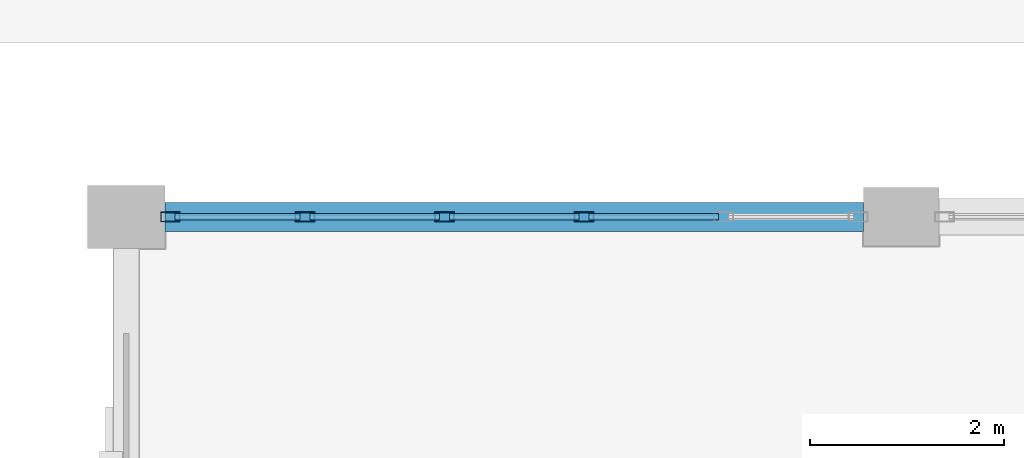
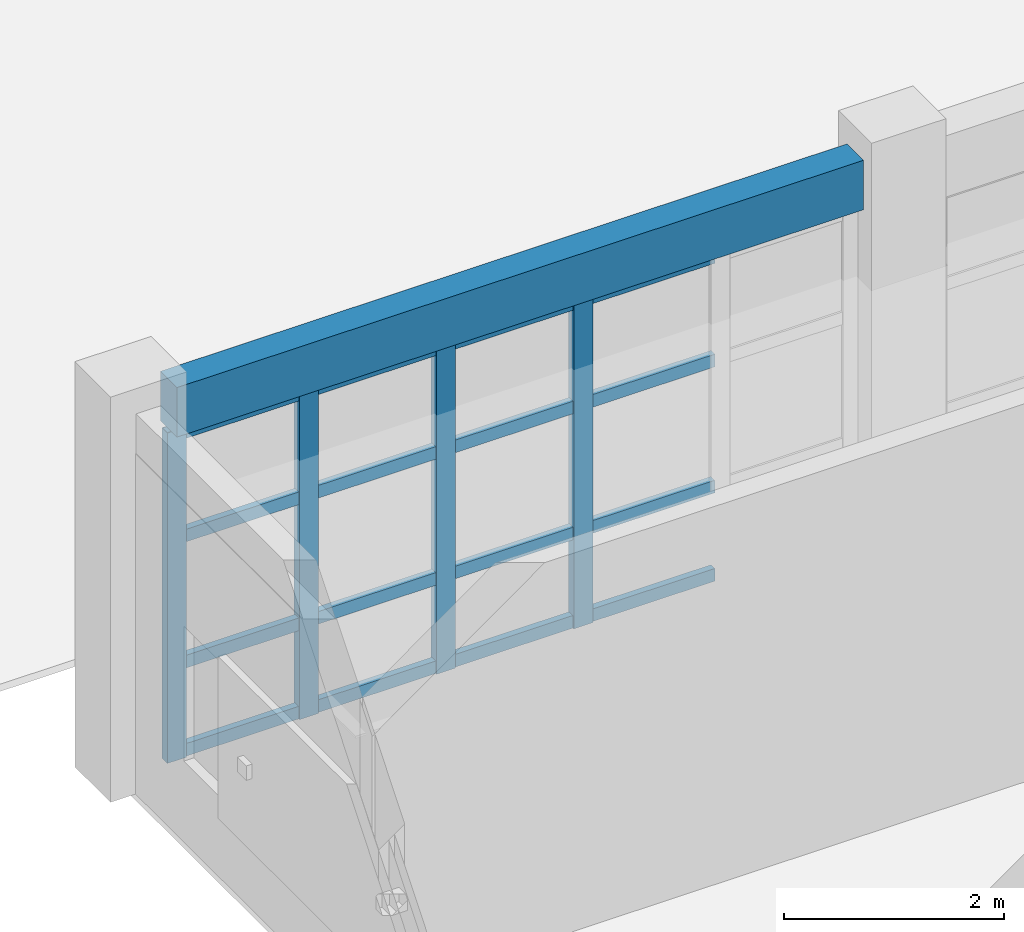
# One storey, part 56 of 166: 20 members, 1 beam, 1 element without a shape of its own.
"""IFC4 building model written with IfcOpenShell, lengths in metres."""

import ifcopenshell
import ifcopenshell.guid

model = None  # the IFC model being written
_history = None  # IfcOwnerHistory: only IFC2X3 demands one
_inside = {}  # id of a spatial element -> (the spatial element, [elements in it])
_under = {}  # id of a project, library or spatial element -> (it, [spatial elements below it])
_declared = {}  # id of a project -> (the project, [libraries it declares])
_typed = {}  # id of a type object -> (the type object, [elements of that type])
_made_of = {}  # id of a material, layer set ... -> (it, [elements and type objects made of it])


def new_model(schema):
    """Start an empty IFC model of exactly this schema.

    Asked for "IFC4X3", IfcOpenShell would pick the latest addendum, in which some entities
    have other attributes; the version numbers below select the first issue.
    IFC2X3 requires an IfcOwnerHistory on every rooted entity: one is made here for all.
    """
    global model, _history
    if schema == "IFC4X3":
        model = ifcopenshell.file(schema_version=(4, 3, 0, 0))
    else:
        model = ifcopenshell.file(schema=schema)
    _inside.clear()
    _under.clear()
    _declared.clear()
    _typed.clear()
    _made_of.clear()
    _history = None
    if model.schema == "IFC2X3":
        org = make("IfcOrganization", Name="unknown")
        user = make(
            "IfcPersonAndOrganization",
            ThePerson=make("IfcPerson", FamilyName="unknown"),
            TheOrganization=org,
        )
        app = make(
            "IfcApplication",
            ApplicationDeveloper=org,
            Version="unknown",
            ApplicationFullName="unknown",
            ApplicationIdentifier="unknown",
        )
        _history = make(
            "IfcOwnerHistory",
            OwningUser=user,
            OwningApplication=app,
            ChangeAction="ADDED",
            CreationDate=0,
        )
    return model


def make(cls, **values):
    """One entity of the class cls with the attributes given. An attribute that is None is left unset."""
    return model.create_entity(
        cls, **{name: value for name, value in values.items() if value is not None}
    )


def rooted(cls, **values):
    """An entity with a GlobalId (a new one), such as an element, a storey or a relation."""
    return make(cls, GlobalId=ifcopenshell.guid.new(), OwnerHistory=_history, **values)


def si_unit(unit_type, name, prefix=None):
    """IfcSIUnit, for example si_unit("LENGTHUNIT", "METRE", prefix="MILLI")."""
    return make("IfcSIUnit", UnitType=unit_type, Prefix=prefix, Name=name)


def assignment(units):
    """IfcUnitAssignment: the units of a project."""
    return None if units is None else make("IfcUnitAssignment", Units=units)


def point(xyz):
    """IfcCartesianPoint."""
    return None if xyz is None else make("IfcCartesianPoint", Coordinates=xyz)


def direction(xyz):
    """IfcDirection."""
    return None if xyz is None else make("IfcDirection", DirectionRatios=xyz)


def frame(location, z_axis=None, x_axis=None):
    """IfcAxis2Placement3D, a coordinate frame: its origin and axes. An axis left out is left unset."""
    return make(
        "IfcAxis2Placement3D",
        Location=point(location),
        Axis=direction(z_axis),
        RefDirection=direction(x_axis),
    )


def frame_2d(location, x_axis=None):
    """IfcAxis2Placement2D, a coordinate frame in the plane: its origin and x axis."""
    return make(
        "IfcAxis2Placement2D", Location=point(location), RefDirection=direction(x_axis)
    )


def origin():
    """The frame at (0, 0, 0) with its axes left unset."""
    return frame((0.0, 0.0, 0.0))


def origin_2d():
    """The frame at (0, 0) in the plane with its x axis left unset."""
    return frame_2d((0.0, 0.0))


def place(relative_to, where):
    """IfcLocalPlacement: puts the frame where relative to a parent placement (None: the world)."""
    return make(
        "IfcLocalPlacement", PlacementRelTo=relative_to, RelativePlacement=where
    )


def context(
    kind, dimensions, precision=None, world=None, true_north=None, identifier=None
):
    """IfcGeometricRepresentationContext, for example the 3D "Model" context."""
    return make(
        "IfcGeometricRepresentationContext",
        ContextIdentifier=identifier,
        ContextType=kind,
        CoordinateSpaceDimension=dimensions,
        Precision=precision,
        WorldCoordinateSystem=world,
        TrueNorth=true_north,
    )


def subcontext(parent, identifier, kind, view, scale=None):
    """IfcGeometricRepresentationSubContext, for example "Body" below "Model"."""
    return make(
        "IfcGeometricRepresentationSubContext",
        ContextIdentifier=identifier,
        ContextType=kind,
        ParentContext=parent,
        TargetScale=scale,
        TargetView=view,
    )


def project(units=None, contexts=None):
    """IfcProject with its units and contexts."""
    return rooted(
        "IfcProject",
        Name="project",
        RepresentationContexts=contexts,
        UnitsInContext=assignment(units),
    )


def spatial(cls, under=None, at=None, **own):
    """A site, building, storey or space (cls), placed at a placement, below another one or the project."""
    s = rooted(cls, ObjectPlacement=at, **own)
    if under is not None:
        _under.setdefault(under.id(), (under, []))[1].append(s)
    return s


def profile(cls, at=None, kind="AREA", **sizes):
    """A parametric profile (cls). Its sizes go by their IFC names, for example OverallWidth=200.0."""
    return make(cls, ProfileType=kind, Position=at, **sizes)


def rectangle(**sizes):
    """IfcRectangleProfileDef."""
    return profile("IfcRectangleProfileDef", **sizes)


def hollow_rectangle(**sizes):
    """IfcRectangleHollowProfileDef."""
    return profile("IfcRectangleHollowProfileDef", **sizes)


def extrude(swept, where, along, depth):
    """IfcExtrudedAreaSolid: the profile swept, set in the frame where, extruded along a direction by depth."""
    return make(
        "IfcExtrudedAreaSolid",
        SweptArea=swept,
        Position=where,
        ExtrudedDirection=direction(along),
        Depth=depth,
    )


def shape(context_of_items, identifier, shape_type, items):
    """IfcShapeRepresentation: the items that make up one representation, for example the "Body"."""
    return make(
        "IfcShapeRepresentation",
        ContextOfItems=context_of_items,
        RepresentationIdentifier=identifier,
        RepresentationType=shape_type,
        Items=items,
    )


def material(Name=None, Category=None):
    """IfcMaterial."""
    return make("IfcMaterial", Name=Name, Category=Category)


def material_profile(
    of_material, cross_section, Name=None, Category=None, Priority=None
):
    """IfcMaterialProfile: a cross section and its material."""
    return make(
        "IfcMaterialProfile",
        Name=Name,
        Material=of_material,
        Profile=cross_section,
        Priority=Priority,
        Category=Category,
    )


def profile_set(profiles, Name=None, composite=None):
    """IfcMaterialProfileSet."""
    return make(
        "IfcMaterialProfileSet",
        Name=Name,
        MaterialProfiles=profiles,
        CompositeProfile=composite,
    )


def made_of(thing, what):
    """Note that an element or type object is made of a material, layer set ...; save() writes the relation."""
    if what is not None:
        _made_of.setdefault(what.id(), (what, []))[1].append(thing)
    return thing


def type_object(cls, material=None, **own):
    """A type object (cls), such as IfcWallType, which elements share."""
    return made_of(rooted(cls, **own), material)


def element(
    cls,
    number,
    at=None,
    inside=None,
    cuts=None,
    type_object=None,
    material=None,
    context=None,
    identifier="Body",
    shape_type=None,
    held_by="IfcProductDefinitionShape",
    body=None,
    shapes=None,
    **own,
):
    """One element of the class cls, such as IfcWall. Its Tag is "e" and its number.

    at: its placement. inside: the storey or other place that contains it. cuts: it is an
    opening in that element (IfcRelVoidsElement). A single representation is given by context,
    identifier, shape_type and body (its items); several are given by shapes. held_by: the class
    of the entity that holds the representations. save() writes the other relations.
    """
    e = rooted(cls, Tag="e%d" % number, ObjectPlacement=at, **own)
    if body is not None:
        shapes = [shape(context, identifier, shape_type, body)]
    if shapes is not None:
        e.Representation = make(held_by, Representations=shapes)
    if inside is not None:
        _inside.setdefault(inside.id(), (inside, []))[1].append(e)
    if cuts is not None:
        rooted(
            "IfcRelVoidsElement", RelatingBuildingElement=cuts, RelatedOpeningElement=e
        )
    if type_object is not None:
        _typed.setdefault(type_object.id(), (type_object, []))[1].append(e)
    return made_of(e, material)


def aggregate(whole, parts):
    """IfcRelAggregates: a whole, such as a stair, and the parts it consists of."""
    return rooted("IfcRelAggregates", RelatingObject=whole, RelatedObjects=parts)


def save(model, path):
    """Write the relations noted so far, then the file.

    IfcRelAggregates (storeys below a building ...), IfcRelContainedInSpatialStructure (elements
    in a storey), IfcRelDefinesByType, IfcRelAssociatesMaterial and IfcRelDeclares: one each for
    every whole, place, type object, material and project.
    """
    for whole, parts in _under.values():
        aggregate(whole, parts)
    for where, things in _inside.values():
        rooted(
            "IfcRelContainedInSpatialStructure",
            RelatedElements=things,
            RelatingStructure=where,
        )
    for kind, things in _typed.values():
        rooted("IfcRelDefinesByType", RelatedObjects=things, RelatingType=kind)
    for what, things in _made_of.values():
        rooted("IfcRelAssociatesMaterial", RelatedObjects=things, RelatingMaterial=what)
    for by, libraries in _declared.values():
        rooted("IfcRelDeclares", RelatingContext=by, RelatedDefinitions=libraries)
    model.write(path)


model = new_model("IFC4")

# Units and contexts
model_context = context("Model", 3, precision=1e-05, world=origin(), true_north=direction((0.0, 1.0)))
body_context = subcontext(model_context, "Body", "Model", "MODEL_VIEW")
ifc_project = project(units=[si_unit("LENGTHUNIT", "METRE"), si_unit("AREAUNIT", "SQUARE_METRE"), si_unit("VOLUMEUNIT", "CUBIC_METRE"), si_unit("PLANEANGLEUNIT", "RADIAN"), si_unit("MASSUNIT", "GRAM", prefix="KILO")], contexts=[model_context])

# Site, building, storey
site_placement = place(None, origin())
site = spatial("IfcSite", under=ifc_project, at=site_placement, CompositionType="ELEMENT")
building_placement = place(site_placement, origin())
building = spatial("IfcBuilding", under=site, at=building_placement, Name="Kharva Crest Polytechnic", CompositionType="ELEMENT")
storey_placement = place(building_placement, origin())
storey = spatial("IfcBuildingStorey", under=building, at=storey_placement, Name="L00", CompositionType="ELEMENT", Elevation=0.0)

# Curtain wall, members
ifc_material_1 = material(Name="Tempered insulated glass", Category="glass")
curtain_wall_type = type_object("IfcCurtainWallType", Name="CW-SYS-REFECTORY", PredefinedType="USERDEFINED", material=ifc_material_1)
curtain_wall_placement = place(storey_placement, origin())
curtain_wall = element("IfcCurtainWall", 1, at=curtain_wall_placement, inside=storey, type_object=curtain_wall_type, Name="L00 Glazed Curtain Wall CW-007", ObjectType="CURTAIN WALL", PredefinedType="USERDEFINED")
ifc_material_2 = material(Name="Steel S355", Category="steel")
ifc_material_profile_1 = material_profile(ifc_material_2, hollow_rectangle(XDim=0.10009765625, YDim=0.199951171875, WallThickness=0.00634765625, at=origin_2d()), Name="RHS 200X100X6.3")
ifc_profile_set_1 = profile_set([ifc_material_profile_1], Name="Steel S355")
member_type_1 = type_object("IfcMemberType", Name="CWM-RHS200X100", PredefinedType="MULLION", material=ifc_profile_set_1)
member_1_placement = place(storey_placement, frame((125.52490234375, 38.0, 0.0), z_axis=(0.0, 0.0, 1.0), x_axis=(0.0, -1.0, 0.0)))
member_1 = element("IfcMember", 2, at=member_1_placement, type_object=member_type_1, Name="CW-007 mullion 3", PredefinedType="MULLION", context=body_context, shape_type="SweptSolid", body=[
    extrude(hollow_rectangle(XDim=0.10009765625, YDim=0.199951171875, WallThickness=0.00634765625, at=origin_2d()), origin(), (0.0, 0.0, 1.0), 3.669921875),
])
member_2_placement = place(storey_placement, frame((124.0849609375, 38.0, 0.0), z_axis=(0.0, 0.0, 1.0), x_axis=(0.0, -1.0, 0.0)))
member_2 = element("IfcMember", 3, at=member_2_placement, type_object=member_type_1, Name="CW-007 mullion 4", PredefinedType="MULLION", context=body_context, shape_type="SweptSolid", body=[
    extrude(hollow_rectangle(XDim=0.10009765625, YDim=0.199951171875, WallThickness=0.00634765625, at=origin_2d()), origin(), (0.0, 0.0, 1.0), 3.669921875),
])
member_3_placement = place(storey_placement, frame((122.64501953125, 38.0, 0.0), z_axis=(0.0, 0.0, 1.0), x_axis=(0.0, -1.0, 0.0)))
member_3 = element("IfcMember", 4, at=member_3_placement, type_object=member_type_1, Name="CW-007 mullion 5", PredefinedType="MULLION", context=body_context, shape_type="SweptSolid", body=[
    extrude(hollow_rectangle(XDim=0.10009765625, YDim=0.199951171875, WallThickness=0.00634765625, at=origin_2d()), origin(), (0.0, 0.0, 1.0), 3.669921875),
])
member_4_placement = place(storey_placement, frame((121.2548828125, 38.0, 0.0), z_axis=(0.0, 0.0, 1.0), x_axis=(0.0, -1.0, 0.0)))
member_4 = element("IfcMember", 5, at=member_4_placement, type_object=member_type_1, Name="CW-007 mullion 6", PredefinedType="MULLION", context=body_context, shape_type="SweptSolid", body=[
    extrude(hollow_rectangle(XDim=0.10009765625, YDim=0.199951171875, WallThickness=0.00634765625, at=origin_2d()), origin(), (0.0, 0.0, 1.0), 3.669921875),
])
ifc_material_profile_2 = material_profile(ifc_material_2, hollow_rectangle(XDim=0.070068359375, YDim=0.139892578125, WallThickness=0.00390625, at=origin_2d()), Name="RHS 140X70X4.0")
ifc_profile_set_2 = profile_set([ifc_material_profile_2], Name="Steel S355")
member_type_2 = type_object("IfcMemberType", Name="CWT-RHS140X70", PredefinedType="USERDEFINED", material=ifc_profile_set_2)
member_5_placement = place(storey_placement, frame((126.9150390625, 38.0, 0.070068359375), z_axis=(-1.0, 0.0, 0.0), x_axis=(0.0, -1.0, 0.0)))
member_5 = element("IfcMember", 6, at=member_5_placement, type_object=member_type_2, Name="CW-007 transom 2.1", ObjectType="TRANSOM", PredefinedType="USERDEFINED", context=body_context, shape_type="SweptSolid", body=[
    extrude(hollow_rectangle(XDim=0.070068359375, YDim=0.139892578125, WallThickness=0.00390625, at=origin_2d()), origin(), (0.0, 0.0, 1.0), 1.340087890625),
])
member_6_placement = place(storey_placement, frame((126.9150390625, 38.0, 1.050048828125), z_axis=(-1.0, 0.0, 0.0), x_axis=(0.0, -1.0, 0.0)))
member_6 = element("IfcMember", 7, at=member_6_placement, type_object=member_type_2, Name="CW-007 transom 2.2", ObjectType="TRANSOM", PredefinedType="USERDEFINED", context=body_context, shape_type="SweptSolid", body=[
    extrude(hollow_rectangle(XDim=0.070068359375, YDim=0.139892578125, WallThickness=0.00390625, at=origin_2d()), origin(), (0.0, 0.0, 1.0), 1.340087890625),
])
member_7_placement = place(storey_placement, frame((126.9150390625, 38.0, 2.449951171875), z_axis=(-1.0, 0.0, 0.0), x_axis=(0.0, -1.0, 0.0)))
member_7 = element("IfcMember", 8, at=member_7_placement, type_object=member_type_2, Name="CW-007 transom 2.3", ObjectType="TRANSOM", PredefinedType="USERDEFINED", context=body_context, shape_type="SweptSolid", body=[
    extrude(hollow_rectangle(XDim=0.070068359375, YDim=0.139892578125, WallThickness=0.00390625, at=origin_2d()), origin(), (0.0, 0.0, 1.0), 1.340087890625),
])
member_8_placement = place(storey_placement, frame((126.9150390625, 38.0, 3.60009765625), z_axis=(-1.0, 0.0, 0.0), x_axis=(0.0, -1.0, 0.0)))
member_8 = element("IfcMember", 9, at=member_8_placement, type_object=member_type_2, Name="CW-007 transom 2.4", ObjectType="TRANSOM", PredefinedType="USERDEFINED", context=body_context, shape_type="SweptSolid", body=[
    extrude(hollow_rectangle(XDim=0.070068359375, YDim=0.139892578125, WallThickness=0.00390625, at=origin_2d()), origin(), (0.0, 0.0, 1.0), 1.340087890625),
])
member_9_placement = place(storey_placement, frame((125.47509765625, 38.0, 0.070068359375), z_axis=(-1.0, 0.0, 0.0), x_axis=(0.0, -1.0, 0.0)))
member_9 = element("IfcMember", 10, at=member_9_placement, type_object=member_type_2, Name="CW-007 transom 3.1", ObjectType="TRANSOM", PredefinedType="USERDEFINED", context=body_context, shape_type="SweptSolid", body=[
    extrude(hollow_rectangle(XDim=0.070068359375, YDim=0.139892578125, WallThickness=0.00390625, at=origin_2d()), origin(), (0.0, 0.0, 1.0), 1.340087890625),
])
member_10_placement = place(storey_placement, frame((125.47509765625, 38.0, 1.050048828125), z_axis=(-1.0, 0.0, 0.0), x_axis=(0.0, -1.0, 0.0)))
member_10 = element("IfcMember", 11, at=member_10_placement, type_object=member_type_2, Name="CW-007 transom 3.2", ObjectType="TRANSOM", PredefinedType="USERDEFINED", context=body_context, shape_type="SweptSolid", body=[
    extrude(hollow_rectangle(XDim=0.070068359375, YDim=0.139892578125, WallThickness=0.00390625, at=origin_2d()), origin(), (0.0, 0.0, 1.0), 1.340087890625),
])
member_11_placement = place(storey_placement, frame((125.47509765625, 38.0, 2.449951171875), z_axis=(-1.0, 0.0, 0.0), x_axis=(0.0, -1.0, 0.0)))
member_11 = element("IfcMember", 12, at=member_11_placement, type_object=member_type_2, Name="CW-007 transom 3.3", ObjectType="TRANSOM", PredefinedType="USERDEFINED", context=body_context, shape_type="SweptSolid", body=[
    extrude(hollow_rectangle(XDim=0.070068359375, YDim=0.139892578125, WallThickness=0.00390625, at=origin_2d()), origin(), (0.0, 0.0, 1.0), 1.340087890625),
])
member_12_placement = place(storey_placement, frame((125.47509765625, 38.0, 3.60009765625), z_axis=(-1.0, 0.0, 0.0), x_axis=(0.0, -1.0, 0.0)))
member_12 = element("IfcMember", 13, at=member_12_placement, type_object=member_type_2, Name="CW-007 transom 3.4", ObjectType="TRANSOM", PredefinedType="USERDEFINED", context=body_context, shape_type="SweptSolid", body=[
    extrude(hollow_rectangle(XDim=0.070068359375, YDim=0.139892578125, WallThickness=0.00390625, at=origin_2d()), origin(), (0.0, 0.0, 1.0), 1.340087890625),
])
member_13_placement = place(storey_placement, frame((124.034912109375, 38.0, 0.070068359375), z_axis=(-1.0, 0.0, 0.0), x_axis=(0.0, -1.0, 0.0)))
member_13 = element("IfcMember", 14, at=member_13_placement, type_object=member_type_2, Name="CW-007 transom 4.1", ObjectType="TRANSOM", PredefinedType="USERDEFINED", context=body_context, shape_type="SweptSolid", body=[
    extrude(hollow_rectangle(XDim=0.070068359375, YDim=0.139892578125, WallThickness=0.00390625, at=origin_2d()), origin(), (0.0, 0.0, 1.0), 1.33984375),
])
member_14_placement = place(storey_placement, frame((124.034912109375, 38.0, 1.050048828125), z_axis=(-1.0, 0.0, 0.0), x_axis=(0.0, -1.0, 0.0)))
member_14 = element("IfcMember", 15, at=member_14_placement, type_object=member_type_2, Name="CW-007 transom 4.2", ObjectType="TRANSOM", PredefinedType="USERDEFINED", context=body_context, shape_type="SweptSolid", body=[
    extrude(hollow_rectangle(XDim=0.070068359375, YDim=0.139892578125, WallThickness=0.00390625, at=origin_2d()), origin(), (0.0, 0.0, 1.0), 1.33984375),
])
member_15_placement = place(storey_placement, frame((124.034912109375, 38.0, 2.449951171875), z_axis=(-1.0, 0.0, 0.0), x_axis=(0.0, -1.0, 0.0)))
member_15 = element("IfcMember", 16, at=member_15_placement, type_object=member_type_2, Name="CW-007 transom 4.3", ObjectType="TRANSOM", PredefinedType="USERDEFINED", context=body_context, shape_type="SweptSolid", body=[
    extrude(hollow_rectangle(XDim=0.070068359375, YDim=0.139892578125, WallThickness=0.00390625, at=origin_2d()), origin(), (0.0, 0.0, 1.0), 1.33984375),
])
member_16_placement = place(storey_placement, frame((124.034912109375, 38.0, 3.60009765625), z_axis=(-1.0, 0.0, 0.0), x_axis=(0.0, -1.0, 0.0)))
member_16 = element("IfcMember", 17, at=member_16_placement, type_object=member_type_2, Name="CW-007 transom 4.4", ObjectType="TRANSOM", PredefinedType="USERDEFINED", context=body_context, shape_type="SweptSolid", body=[
    extrude(hollow_rectangle(XDim=0.070068359375, YDim=0.139892578125, WallThickness=0.00390625, at=origin_2d()), origin(), (0.0, 0.0, 1.0), 1.33984375),
])
member_17_placement = place(storey_placement, frame((122.594970703125, 38.0, 0.070068359375), z_axis=(-1.0, 0.0, 0.0), x_axis=(0.0, -1.0, 0.0)))
member_17 = element("IfcMember", 18, at=member_17_placement, type_object=member_type_2, Name="CW-007 transom 5.1", ObjectType="TRANSOM", PredefinedType="USERDEFINED", context=body_context, shape_type="SweptSolid", body=[
    extrude(hollow_rectangle(XDim=0.070068359375, YDim=0.139892578125, WallThickness=0.00390625, at=origin_2d()), origin(), (0.0, 0.0, 1.0), 1.2900390625),
])
member_18_placement = place(storey_placement, frame((122.594970703125, 38.0, 1.050048828125), z_axis=(-1.0, 0.0, 0.0), x_axis=(0.0, -1.0, 0.0)))
member_18 = element("IfcMember", 19, at=member_18_placement, type_object=member_type_2, Name="CW-007 transom 5.2", ObjectType="TRANSOM", PredefinedType="USERDEFINED", context=body_context, shape_type="SweptSolid", body=[
    extrude(hollow_rectangle(XDim=0.070068359375, YDim=0.139892578125, WallThickness=0.00390625, at=origin_2d()), origin(), (0.0, 0.0, 1.0), 1.2900390625),
])
member_19_placement = place(storey_placement, frame((122.594970703125, 38.0, 2.449951171875), z_axis=(-1.0, 0.0, 0.0), x_axis=(0.0, -1.0, 0.0)))
member_19 = element("IfcMember", 20, at=member_19_placement, type_object=member_type_2, Name="CW-007 transom 5.3", ObjectType="TRANSOM", PredefinedType="USERDEFINED", context=body_context, shape_type="SweptSolid", body=[
    extrude(hollow_rectangle(XDim=0.070068359375, YDim=0.139892578125, WallThickness=0.00390625, at=origin_2d()), origin(), (0.0, 0.0, 1.0), 1.2900390625),
])
member_20_placement = place(storey_placement, frame((122.594970703125, 38.0, 3.60009765625), z_axis=(-1.0, 0.0, 0.0), x_axis=(0.0, -1.0, 0.0)))
member_20 = element("IfcMember", 21, at=member_20_placement, type_object=member_type_2, Name="CW-007 transom 5.4", ObjectType="TRANSOM", PredefinedType="USERDEFINED", context=body_context, shape_type="SweptSolid", body=[
    extrude(hollow_rectangle(XDim=0.070068359375, YDim=0.139892578125, WallThickness=0.00390625, at=origin_2d()), origin(), (0.0, 0.0, 1.0), 1.2900390625),
])
aggregate(curtain_wall, [member_1, member_2, member_3, member_4, member_5, member_6, member_7, member_8, member_9, member_10, member_11, member_12, member_13, member_14, member_15, member_16, member_17, member_18, member_19, member_20])

# Beam
ifc_material_3 = material(Name="Concrete C35/45", Category="concrete")
ifc_material_profile_3 = material_profile(ifc_material_3, rectangle(XDim=0.300048828125, YDim=0.550048828125, at=origin_2d()), Name="RECT 300 X 550")
ifc_profile_set_3 = profile_set([ifc_material_profile_3], Name="Concrete C35/45")
beam_type = type_object("IfcBeamType", Name="SP-RC-300X550", PredefinedType="SPANDREL", material=ifc_profile_set_3)
beam_placement = place(storey_placement, frame((121.199951171875, 38.0, 3.945068359375), z_axis=(1.0, 0.0, 0.0), x_axis=(0.0, 1.0, 0.0)))
element("IfcBeam", 22, at=beam_placement, inside=storey, type_object=beam_type, Name="L00 Beam F/16J-17", PredefinedType="SPANDREL", context=body_context, shape_type="SweptSolid", body=[
    extrude(rectangle(XDim=0.300048828125, YDim=0.550048828125, at=origin_2d()), origin(), (0.0, 0.0, 1.0), 7.2099609375),
])

save(model, "model.ifc")
